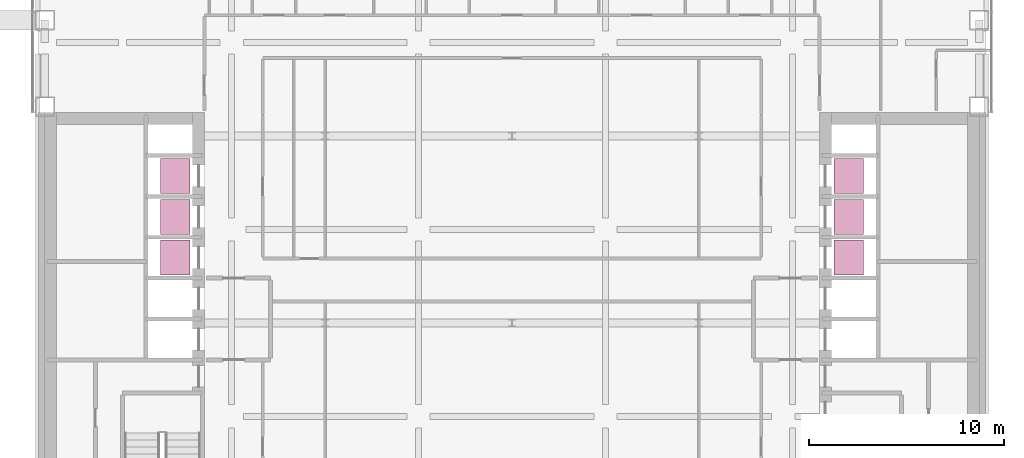
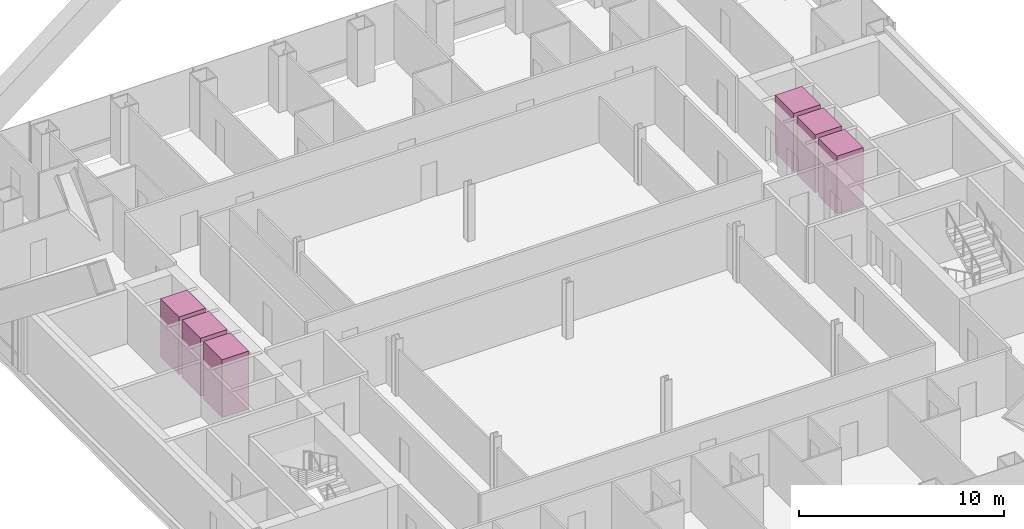
# One storey, part 28 of 28: 6 transport elements.
"""IFC4 building model written with IfcOpenShell, lengths in metres."""

import ifcopenshell
import ifcopenshell.guid

model = None  # the IFC model being written
_history = None  # IfcOwnerHistory: only IFC2X3 demands one
_inside = {}  # id of a spatial element -> (the spatial element, [elements in it])
_under = {}  # id of a project, library or spatial element -> (it, [spatial elements below it])
_declared = {}  # id of a project -> (the project, [libraries it declares])
_typed = {}  # id of a type object -> (the type object, [elements of that type])
_made_of = {}  # id of a material, layer set ... -> (it, [elements and type objects made of it])


def new_model(schema):
    """Start an empty IFC model of exactly this schema.

    Asked for "IFC4X3", IfcOpenShell would pick the latest addendum, in which some entities
    have other attributes; the version numbers below select the first issue.
    IFC2X3 requires an IfcOwnerHistory on every rooted entity: one is made here for all.
    """
    global model, _history
    if schema == "IFC4X3":
        model = ifcopenshell.file(schema_version=(4, 3, 0, 0))
    else:
        model = ifcopenshell.file(schema=schema)
    _inside.clear()
    _under.clear()
    _declared.clear()
    _typed.clear()
    _made_of.clear()
    _history = None
    if model.schema == "IFC2X3":
        org = make("IfcOrganization", Name="unknown")
        user = make(
            "IfcPersonAndOrganization",
            ThePerson=make("IfcPerson", FamilyName="unknown"),
            TheOrganization=org,
        )
        app = make(
            "IfcApplication",
            ApplicationDeveloper=org,
            Version="unknown",
            ApplicationFullName="unknown",
            ApplicationIdentifier="unknown",
        )
        _history = make(
            "IfcOwnerHistory",
            OwningUser=user,
            OwningApplication=app,
            ChangeAction="ADDED",
            CreationDate=0,
        )
    return model


def make(cls, **values):
    """One entity of the class cls with the attributes given. An attribute that is None is left unset."""
    return model.create_entity(
        cls, **{name: value for name, value in values.items() if value is not None}
    )


def rooted(cls, **values):
    """An entity with a GlobalId (a new one), such as an element, a storey or a relation."""
    return make(cls, GlobalId=ifcopenshell.guid.new(), OwnerHistory=_history, **values)


def si_unit(unit_type, name, prefix=None):
    """IfcSIUnit, for example si_unit("LENGTHUNIT", "METRE", prefix="MILLI")."""
    return make("IfcSIUnit", UnitType=unit_type, Prefix=prefix, Name=name)


def assignment(units):
    """IfcUnitAssignment: the units of a project."""
    return None if units is None else make("IfcUnitAssignment", Units=units)


def point(xyz):
    """IfcCartesianPoint."""
    return None if xyz is None else make("IfcCartesianPoint", Coordinates=xyz)


def direction(xyz):
    """IfcDirection."""
    return None if xyz is None else make("IfcDirection", DirectionRatios=xyz)


def frame(location, z_axis=None, x_axis=None):
    """IfcAxis2Placement3D, a coordinate frame: its origin and axes. An axis left out is left unset."""
    return make(
        "IfcAxis2Placement3D",
        Location=point(location),
        Axis=direction(z_axis),
        RefDirection=direction(x_axis),
    )


def frame_2d(location, x_axis=None):
    """IfcAxis2Placement2D, a coordinate frame in the plane: its origin and x axis."""
    return make(
        "IfcAxis2Placement2D", Location=point(location), RefDirection=direction(x_axis)
    )


def origin():
    """The frame at (0, 0, 0) with its axes left unset."""
    return frame((0.0, 0.0, 0.0))


def origin_2d():
    """The frame at (0, 0) in the plane with its x axis left unset."""
    return frame_2d((0.0, 0.0))


def place(relative_to, where):
    """IfcLocalPlacement: puts the frame where relative to a parent placement (None: the world)."""
    return make(
        "IfcLocalPlacement", PlacementRelTo=relative_to, RelativePlacement=where
    )


def context(
    kind, dimensions, precision=None, world=None, true_north=None, identifier=None
):
    """IfcGeometricRepresentationContext, for example the 3D "Model" context."""
    return make(
        "IfcGeometricRepresentationContext",
        ContextIdentifier=identifier,
        ContextType=kind,
        CoordinateSpaceDimension=dimensions,
        Precision=precision,
        WorldCoordinateSystem=world,
        TrueNorth=true_north,
    )


def subcontext(parent, identifier, kind, view, scale=None):
    """IfcGeometricRepresentationSubContext, for example "Body" below "Model"."""
    return make(
        "IfcGeometricRepresentationSubContext",
        ContextIdentifier=identifier,
        ContextType=kind,
        ParentContext=parent,
        TargetScale=scale,
        TargetView=view,
    )


def project(units=None, contexts=None):
    """IfcProject with its units and contexts."""
    return rooted(
        "IfcProject",
        Name="project",
        RepresentationContexts=contexts,
        UnitsInContext=assignment(units),
    )


def spatial(cls, under=None, at=None, **own):
    """A site, building, storey or space (cls), placed at a placement, below another one or the project."""
    s = rooted(cls, ObjectPlacement=at, **own)
    if under is not None:
        _under.setdefault(under.id(), (under, []))[1].append(s)
    return s


def profile(cls, at=None, kind="AREA", **sizes):
    """A parametric profile (cls). Its sizes go by their IFC names, for example OverallWidth=200.0."""
    return make(cls, ProfileType=kind, Position=at, **sizes)


def rectangle(**sizes):
    """IfcRectangleProfileDef."""
    return profile("IfcRectangleProfileDef", **sizes)


def extrude(swept, where, along, depth):
    """IfcExtrudedAreaSolid: the profile swept, set in the frame where, extruded along a direction by depth."""
    return make(
        "IfcExtrudedAreaSolid",
        SweptArea=swept,
        Position=where,
        ExtrudedDirection=direction(along),
        Depth=depth,
    )


def shape(context_of_items, identifier, shape_type, items):
    """IfcShapeRepresentation: the items that make up one representation, for example the "Body"."""
    return make(
        "IfcShapeRepresentation",
        ContextOfItems=context_of_items,
        RepresentationIdentifier=identifier,
        RepresentationType=shape_type,
        Items=items,
    )


def material(Name=None, Category=None):
    """IfcMaterial."""
    return make("IfcMaterial", Name=Name, Category=Category)


def made_of(thing, what):
    """Note that an element or type object is made of a material, layer set ...; save() writes the relation."""
    if what is not None:
        _made_of.setdefault(what.id(), (what, []))[1].append(thing)
    return thing


def type_object(cls, material=None, **own):
    """A type object (cls), such as IfcWallType, which elements share."""
    return made_of(rooted(cls, **own), material)


def element(
    cls,
    number,
    at=None,
    inside=None,
    cuts=None,
    type_object=None,
    material=None,
    context=None,
    identifier="Body",
    shape_type=None,
    held_by="IfcProductDefinitionShape",
    body=None,
    shapes=None,
    **own,
):
    """One element of the class cls, such as IfcWall. Its Tag is "e" and its number.

    at: its placement. inside: the storey or other place that contains it. cuts: it is an
    opening in that element (IfcRelVoidsElement). A single representation is given by context,
    identifier, shape_type and body (its items); several are given by shapes. held_by: the class
    of the entity that holds the representations. save() writes the other relations.
    """
    e = rooted(cls, Tag="e%d" % number, ObjectPlacement=at, **own)
    if body is not None:
        shapes = [shape(context, identifier, shape_type, body)]
    if shapes is not None:
        e.Representation = make(held_by, Representations=shapes)
    if inside is not None:
        _inside.setdefault(inside.id(), (inside, []))[1].append(e)
    if cuts is not None:
        rooted(
            "IfcRelVoidsElement", RelatingBuildingElement=cuts, RelatedOpeningElement=e
        )
    if type_object is not None:
        _typed.setdefault(type_object.id(), (type_object, []))[1].append(e)
    return made_of(e, material)


def aggregate(whole, parts):
    """IfcRelAggregates: a whole, such as a stair, and the parts it consists of."""
    return rooted("IfcRelAggregates", RelatingObject=whole, RelatedObjects=parts)


def save(model, path):
    """Write the relations noted so far, then the file.

    IfcRelAggregates (storeys below a building ...), IfcRelContainedInSpatialStructure (elements
    in a storey), IfcRelDefinesByType, IfcRelAssociatesMaterial and IfcRelDeclares: one each for
    every whole, place, type object, material and project.
    """
    for whole, parts in _under.values():
        aggregate(whole, parts)
    for where, things in _inside.values():
        rooted(
            "IfcRelContainedInSpatialStructure",
            RelatedElements=things,
            RelatingStructure=where,
        )
    for kind, things in _typed.values():
        rooted("IfcRelDefinesByType", RelatedObjects=things, RelatingType=kind)
    for what, things in _made_of.values():
        rooted("IfcRelAssociatesMaterial", RelatedObjects=things, RelatingMaterial=what)
    for by, libraries in _declared.values():
        rooted("IfcRelDeclares", RelatingContext=by, RelatedDefinitions=libraries)
    model.write(path)


model = new_model("IFC4")

# Units and contexts
model_context = context("Model", 3, precision=1e-05, world=origin(), true_north=direction((0.0, 1.0)))
body_context = subcontext(model_context, "Body", "Model", "MODEL_VIEW")
ifc_project = project(units=[si_unit("LENGTHUNIT", "METRE"), si_unit("AREAUNIT", "SQUARE_METRE"), si_unit("VOLUMEUNIT", "CUBIC_METRE"), si_unit("PLANEANGLEUNIT", "RADIAN"), si_unit("MASSUNIT", "GRAM", prefix="KILO")], contexts=[model_context])

# Site, building, storey
site_placement = place(None, origin())
site = spatial("IfcSite", under=ifc_project, at=site_placement, CompositionType="ELEMENT")
building_placement = place(site_placement, origin())
building = spatial("IfcBuilding", under=site, at=building_placement, Name="Cobrizo Arcos Hotel Tower", CompositionType="ELEMENT")
storey_placement = place(building_placement, frame((0.0, 0.0, 39.0)))
storey = spatial("IfcBuildingStorey", under=building, at=storey_placement, Name="L07", CompositionType="ELEMENT", Elevation=39.0)

# Transport elements
ifc_material = material(Name="Stainless steel car", Category="steel")
transport_element_type = type_object("IfcTransportElementType", Name="Lift car Low 1.8x1.5", PredefinedType="ELEVATOR", material=ifc_material)
for number, where, z_axis, x_axis, name in (
    (1, (-17.300048828125, 3.35009765625, 0.0), (0.0, 0.0, 1.0), (1.0, 0.0, 0.0), "Low-rise passenger lift W1"),
    (2, (-17.300048828125, 5.449951171875, 0.0), (0.0, 0.0, 1.0), (1.0, 0.0, 0.0), "Low-rise passenger lift W2"),
    (3, (-17.300048828125, 7.550048828125, 0.0), (0.0, 0.0, 1.0), (1.0, 0.0, 0.0), "Low-rise passenger lift W3"),
    (4, (17.300048828125, 3.35009765625, 0.0), (0.0, 0.0, 1.0), (1.0, 0.0, 0.0), "Low-rise passenger lift E1"),
    (5, (17.300048828125, 5.449951171875, 0.0), (0.0, 0.0, 1.0), (1.0, 0.0, 0.0), "Low-rise passenger lift E2"),
    (6, (17.300048828125, 7.550048828125, 0.0), (0.0, 0.0, 1.0), (1.0, 0.0, 0.0), "Low-rise passenger lift E3"),
):
    element("IfcTransportElement", number, at=place(storey_placement, frame(where, z_axis=z_axis, x_axis=x_axis)), inside=storey, type_object=transport_element_type, Name=name, PredefinedType="ELEVATOR", context=body_context, shape_type="SweptSolid", body=[
        extrude(rectangle(XDim=1.5, YDim=1.800048828125, at=origin_2d()), origin(), (0.0, 0.0, 1.0), 3.449951171875),
    ])

save(model, "model.ifc")
